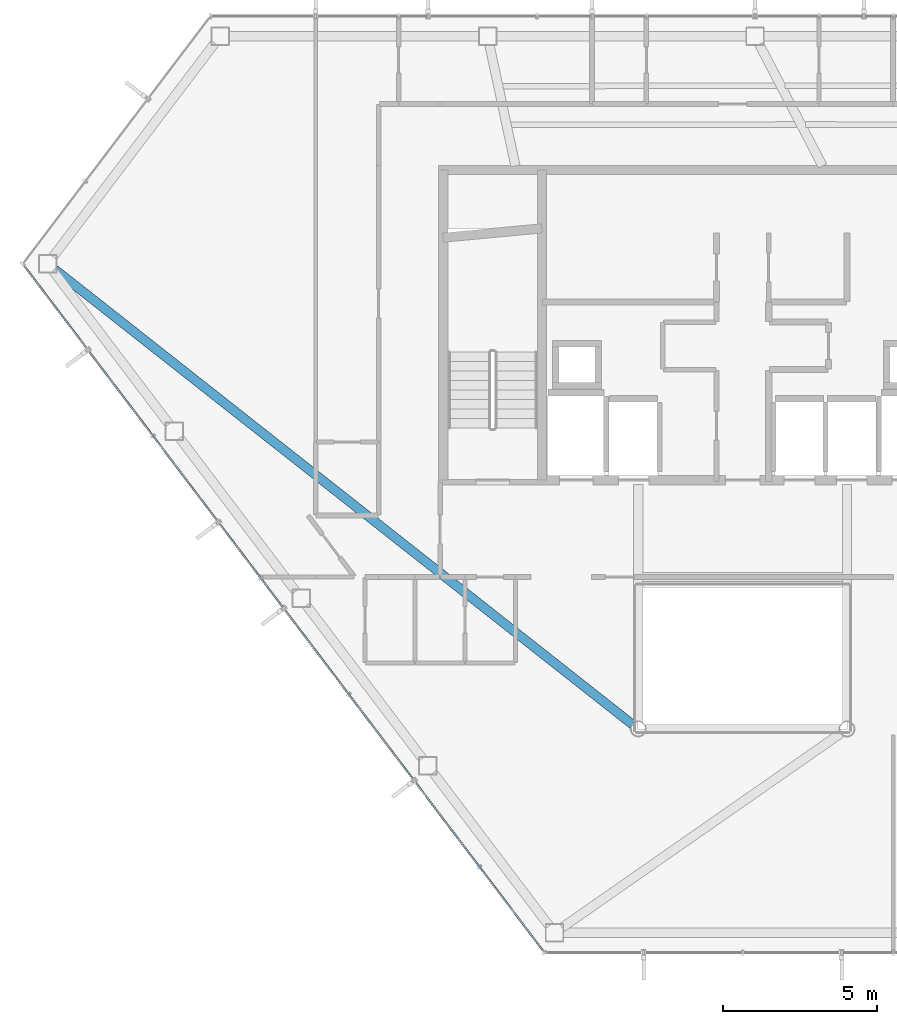
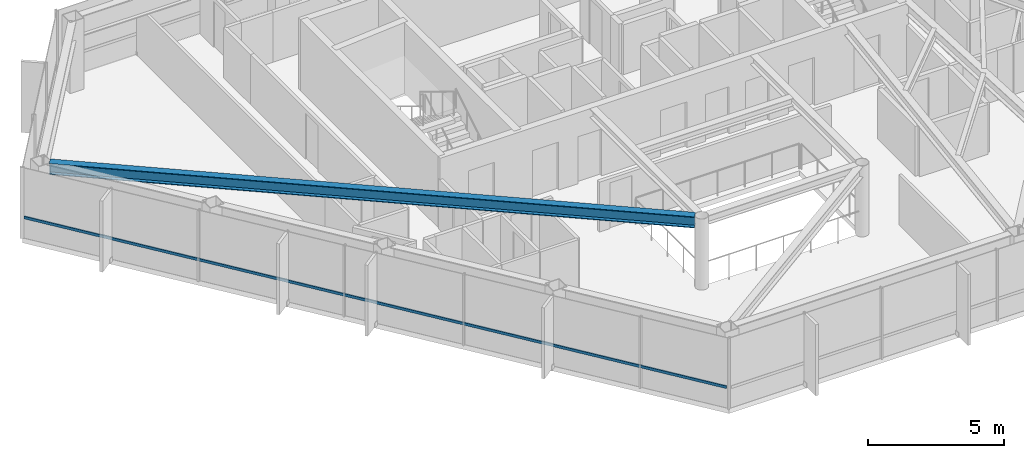
# One storey, part 4 of 25: 1 beam, 1 member, 1 element without a shape of its own.
"""IFC4 building model written with IfcOpenShell, lengths in metres."""

import ifcopenshell
import ifcopenshell.guid

model = None  # the IFC model being written
_history = None  # IfcOwnerHistory: only IFC2X3 demands one
_inside = {}  # id of a spatial element -> (the spatial element, [elements in it])
_under = {}  # id of a project, library or spatial element -> (it, [spatial elements below it])
_declared = {}  # id of a project -> (the project, [libraries it declares])
_typed = {}  # id of a type object -> (the type object, [elements of that type])
_made_of = {}  # id of a material, layer set ... -> (it, [elements and type objects made of it])


def new_model(schema):
    """Start an empty IFC model of exactly this schema.

    Asked for "IFC4X3", IfcOpenShell would pick the latest addendum, in which some entities
    have other attributes; the version numbers below select the first issue.
    IFC2X3 requires an IfcOwnerHistory on every rooted entity: one is made here for all.
    """
    global model, _history
    if schema == "IFC4X3":
        model = ifcopenshell.file(schema_version=(4, 3, 0, 0))
    else:
        model = ifcopenshell.file(schema=schema)
    _inside.clear()
    _under.clear()
    _declared.clear()
    _typed.clear()
    _made_of.clear()
    _history = None
    if model.schema == "IFC2X3":
        org = make("IfcOrganization", Name="unknown")
        user = make(
            "IfcPersonAndOrganization",
            ThePerson=make("IfcPerson", FamilyName="unknown"),
            TheOrganization=org,
        )
        app = make(
            "IfcApplication",
            ApplicationDeveloper=org,
            Version="unknown",
            ApplicationFullName="unknown",
            ApplicationIdentifier="unknown",
        )
        _history = make(
            "IfcOwnerHistory",
            OwningUser=user,
            OwningApplication=app,
            ChangeAction="ADDED",
            CreationDate=0,
        )
    return model


def make(cls, **values):
    """One entity of the class cls with the attributes given. An attribute that is None is left unset."""
    return model.create_entity(
        cls, **{name: value for name, value in values.items() if value is not None}
    )


def rooted(cls, **values):
    """An entity with a GlobalId (a new one), such as an element, a storey or a relation."""
    return make(cls, GlobalId=ifcopenshell.guid.new(), OwnerHistory=_history, **values)


def si_unit(unit_type, name, prefix=None):
    """IfcSIUnit, for example si_unit("LENGTHUNIT", "METRE", prefix="MILLI")."""
    return make("IfcSIUnit", UnitType=unit_type, Prefix=prefix, Name=name)


def assignment(units):
    """IfcUnitAssignment: the units of a project."""
    return None if units is None else make("IfcUnitAssignment", Units=units)


def point(xyz):
    """IfcCartesianPoint."""
    return None if xyz is None else make("IfcCartesianPoint", Coordinates=xyz)


def direction(xyz):
    """IfcDirection."""
    return None if xyz is None else make("IfcDirection", DirectionRatios=xyz)


def frame(location, z_axis=None, x_axis=None):
    """IfcAxis2Placement3D, a coordinate frame: its origin and axes. An axis left out is left unset."""
    return make(
        "IfcAxis2Placement3D",
        Location=point(location),
        Axis=direction(z_axis),
        RefDirection=direction(x_axis),
    )


def frame_2d(location, x_axis=None):
    """IfcAxis2Placement2D, a coordinate frame in the plane: its origin and x axis."""
    return make(
        "IfcAxis2Placement2D", Location=point(location), RefDirection=direction(x_axis)
    )


def origin():
    """The frame at (0, 0, 0) with its axes left unset."""
    return frame((0.0, 0.0, 0.0))


def origin_2d():
    """The frame at (0, 0) in the plane with its x axis left unset."""
    return frame_2d((0.0, 0.0))


def place(relative_to, where):
    """IfcLocalPlacement: puts the frame where relative to a parent placement (None: the world)."""
    return make(
        "IfcLocalPlacement", PlacementRelTo=relative_to, RelativePlacement=where
    )


def context(
    kind, dimensions, precision=None, world=None, true_north=None, identifier=None
):
    """IfcGeometricRepresentationContext, for example the 3D "Model" context."""
    return make(
        "IfcGeometricRepresentationContext",
        ContextIdentifier=identifier,
        ContextType=kind,
        CoordinateSpaceDimension=dimensions,
        Precision=precision,
        WorldCoordinateSystem=world,
        TrueNorth=true_north,
    )


def subcontext(parent, identifier, kind, view, scale=None):
    """IfcGeometricRepresentationSubContext, for example "Body" below "Model"."""
    return make(
        "IfcGeometricRepresentationSubContext",
        ContextIdentifier=identifier,
        ContextType=kind,
        ParentContext=parent,
        TargetScale=scale,
        TargetView=view,
    )


def project(units=None, contexts=None):
    """IfcProject with its units and contexts."""
    return rooted(
        "IfcProject",
        Name="project",
        RepresentationContexts=contexts,
        UnitsInContext=assignment(units),
    )


def spatial(cls, under=None, at=None, **own):
    """A site, building, storey or space (cls), placed at a placement, below another one or the project."""
    s = rooted(cls, ObjectPlacement=at, **own)
    if under is not None:
        _under.setdefault(under.id(), (under, []))[1].append(s)
    return s


def profile(cls, at=None, kind="AREA", **sizes):
    """A parametric profile (cls). Its sizes go by their IFC names, for example OverallWidth=200.0."""
    return make(cls, ProfileType=kind, Position=at, **sizes)


def hollow_rectangle(**sizes):
    """IfcRectangleHollowProfileDef."""
    return profile("IfcRectangleHollowProfileDef", **sizes)


def i_section(**sizes):
    """IfcIShapeProfileDef."""
    return profile("IfcIShapeProfileDef", **sizes)


def extrude(swept, where, along, depth):
    """IfcExtrudedAreaSolid: the profile swept, set in the frame where, extruded along a direction by depth."""
    return make(
        "IfcExtrudedAreaSolid",
        SweptArea=swept,
        Position=where,
        ExtrudedDirection=direction(along),
        Depth=depth,
    )


def shape(context_of_items, identifier, shape_type, items):
    """IfcShapeRepresentation: the items that make up one representation, for example the "Body"."""
    return make(
        "IfcShapeRepresentation",
        ContextOfItems=context_of_items,
        RepresentationIdentifier=identifier,
        RepresentationType=shape_type,
        Items=items,
    )


def material(Name=None, Category=None):
    """IfcMaterial."""
    return make("IfcMaterial", Name=Name, Category=Category)


def layer(
    of_material, thickness, ventilated=None, Name=None, Category=None, Priority=None
):
    """IfcMaterialLayer: one layer of a wall or slab, of a material (None: an air gap)."""
    return make(
        "IfcMaterialLayer",
        Material=of_material,
        LayerThickness=thickness,
        IsVentilated=ventilated,
        Name=Name,
        Category=Category,
        Priority=Priority,
    )


def layer_set(layers, Name=None):
    """IfcMaterialLayerSet."""
    return make("IfcMaterialLayerSet", MaterialLayers=layers, LayerSetName=Name)


def material_profile(
    of_material, cross_section, Name=None, Category=None, Priority=None
):
    """IfcMaterialProfile: a cross section and its material."""
    return make(
        "IfcMaterialProfile",
        Name=Name,
        Material=of_material,
        Profile=cross_section,
        Priority=Priority,
        Category=Category,
    )


def profile_set(profiles, Name=None, composite=None):
    """IfcMaterialProfileSet."""
    return make(
        "IfcMaterialProfileSet",
        Name=Name,
        MaterialProfiles=profiles,
        CompositeProfile=composite,
    )


def made_of(thing, what):
    """Note that an element or type object is made of a material, layer set ...; save() writes the relation."""
    if what is not None:
        _made_of.setdefault(what.id(), (what, []))[1].append(thing)
    return thing


def type_object(cls, material=None, **own):
    """A type object (cls), such as IfcWallType, which elements share."""
    return made_of(rooted(cls, **own), material)


def element(
    cls,
    number,
    at=None,
    inside=None,
    cuts=None,
    type_object=None,
    material=None,
    context=None,
    identifier="Body",
    shape_type=None,
    held_by="IfcProductDefinitionShape",
    body=None,
    shapes=None,
    **own,
):
    """One element of the class cls, such as IfcWall. Its Tag is "e" and its number.

    at: its placement. inside: the storey or other place that contains it. cuts: it is an
    opening in that element (IfcRelVoidsElement). A single representation is given by context,
    identifier, shape_type and body (its items); several are given by shapes. held_by: the class
    of the entity that holds the representations. save() writes the other relations.
    """
    e = rooted(cls, Tag="e%d" % number, ObjectPlacement=at, **own)
    if body is not None:
        shapes = [shape(context, identifier, shape_type, body)]
    if shapes is not None:
        e.Representation = make(held_by, Representations=shapes)
    if inside is not None:
        _inside.setdefault(inside.id(), (inside, []))[1].append(e)
    if cuts is not None:
        rooted(
            "IfcRelVoidsElement", RelatingBuildingElement=cuts, RelatedOpeningElement=e
        )
    if type_object is not None:
        _typed.setdefault(type_object.id(), (type_object, []))[1].append(e)
    return made_of(e, material)


def aggregate(whole, parts):
    """IfcRelAggregates: a whole, such as a stair, and the parts it consists of."""
    return rooted("IfcRelAggregates", RelatingObject=whole, RelatedObjects=parts)


def save(model, path):
    """Write the relations noted so far, then the file.

    IfcRelAggregates (storeys below a building ...), IfcRelContainedInSpatialStructure (elements
    in a storey), IfcRelDefinesByType, IfcRelAssociatesMaterial and IfcRelDeclares: one each for
    every whole, place, type object, material and project.
    """
    for whole, parts in _under.values():
        aggregate(whole, parts)
    for where, things in _inside.values():
        rooted(
            "IfcRelContainedInSpatialStructure",
            RelatedElements=things,
            RelatingStructure=where,
        )
    for kind, things in _typed.values():
        rooted("IfcRelDefinesByType", RelatedObjects=things, RelatingType=kind)
    for what, things in _made_of.values():
        rooted("IfcRelAssociatesMaterial", RelatedObjects=things, RelatingMaterial=what)
    for by, libraries in _declared.values():
        rooted("IfcRelDeclares", RelatingContext=by, RelatedDefinitions=libraries)
    model.write(path)


model = new_model("IFC4")

# Units and contexts
model_context = context("Model", 3, precision=1e-05, world=origin(), true_north=direction((0.0, 1.0)))
body_context = subcontext(model_context, "Body", "Model", "MODEL_VIEW")
ifc_project = project(units=[si_unit("LENGTHUNIT", "METRE"), si_unit("AREAUNIT", "SQUARE_METRE"), si_unit("VOLUMEUNIT", "CUBIC_METRE"), si_unit("PLANEANGLEUNIT", "RADIAN"), si_unit("MASSUNIT", "GRAM", prefix="KILO")], contexts=[model_context])

# Site, building, storey
site_placement = place(None, origin())
site = spatial("IfcSite", under=ifc_project, at=site_placement, CompositionType="ELEMENT")
building_placement = place(site_placement, origin())
building = spatial("IfcBuilding", under=site, at=building_placement, Name="Zarrinselat Tower", CompositionType="ELEMENT")
storey_placement = place(building_placement, frame((0.0, 0.0, 208.760009765625)))
storey = spatial("IfcBuildingStorey", under=building, at=storey_placement, Name="L51", CompositionType="ELEMENT", Elevation=208.760009765625)

# Beam
ifc_material_1 = material(Name="Steel S355J2", Category="steel")
ifc_material_profile_1 = material_profile(ifc_material_1, i_section(OverallWidth=0.300048828125, OverallDepth=0.5, WebThickness=0.014404296875, FlangeThickness=0.028076171875, at=origin_2d()), Name="HEB 500")
ifc_profile_set_1 = profile_set([ifc_material_profile_1], Name="Steel S355J2")
beam_type = type_object("IfcBeamType", Name="BM-HEB500", PredefinedType="BEAM", material=ifc_profile_set_1)
beam_placement = place(storey_placement, frame((16.00634765625, 40.16015625, 2.929931640625), z_axis=(0.785585602039, -0.618752989382, 0.0), x_axis=(0.618752989382, 0.785585602039, 0.0)))
element("IfcBeam", 1, at=beam_placement, inside=storey, type_object=beam_type, Name="L51 Radial Primary Girder RG06", PredefinedType="BEAM", context=body_context, shape_type="SweptSolid", body=[
    extrude(i_section(OverallWidth=0.300048828125, OverallDepth=0.5, WebThickness=0.014404296875, FlangeThickness=0.028076171875, at=origin_2d()), origin(), (0.0, 0.0, 1.0), 23.927734375),
])

# Curtain wall, member
ifc_material_2 = material(Name="Extruded Aluminium Alloy EN AW-6063 T6", Category="aluminium")
ifc_layer = layer(ifc_material_2, 0.169921875)
ifc_layer_set = layer_set([ifc_layer], Name="Extruded Aluminium Alloy EN AW-6063 T6")
curtain_wall_type = type_object("IfcCurtainWallType", Name="CWS-RES", PredefinedType="NOTDEFINED", material=ifc_layer_set)
curtain_wall_placement = place(storey_placement, origin())
curtain_wall = element("IfcCurtainWall", 2, at=curtain_wall_placement, inside=storey, type_object=curtain_wall_type, Name="L51 Unitised Curtain Wall CW-L51-E03", PredefinedType="NOTDEFINED")
ifc_material_3 = material(Name="Extruded Aluminium Alloy EN AW-6063 T6", Category="aluminium")
ifc_material_profile_2 = material_profile(ifc_material_3, hollow_rectangle(XDim=0.06005859375, YDim=0.1201171875, WallThickness=0.00390625, at=origin_2d()), Name="RHS 120x60x4")
ifc_profile_set_2 = profile_set([ifc_material_profile_2], Name="Extruded Aluminium Alloy EN AW-6063 T6")
member_type = type_object("IfcMemberType", Name="MEM-CW-TRN2", PredefinedType="USERDEFINED", material=ifc_profile_set_2)
member_placement = place(storey_placement, frame((15.0078125, 40.275390625, 0.949951171875), z_axis=(0.603860377036, -0.797090110995, 0.0), x_axis=(0.797090110995, 0.603860377036, 0.0)))
member = element("IfcMember", 3, at=member_placement, type_object=member_type, Name="CW-L51-E03 Transom 1", ObjectType="TRANSOM", PredefinedType="USERDEFINED", context=body_context, shape_type="SweptSolid", body=[
    extrude(hollow_rectangle(XDim=0.06005859375, YDim=0.1201171875, WallThickness=0.00390625, at=origin_2d()), origin(), (0.0, 0.0, 1.0), 27.96826171875),
])
aggregate(curtain_wall, [member])

save(model, "model.ifc")
